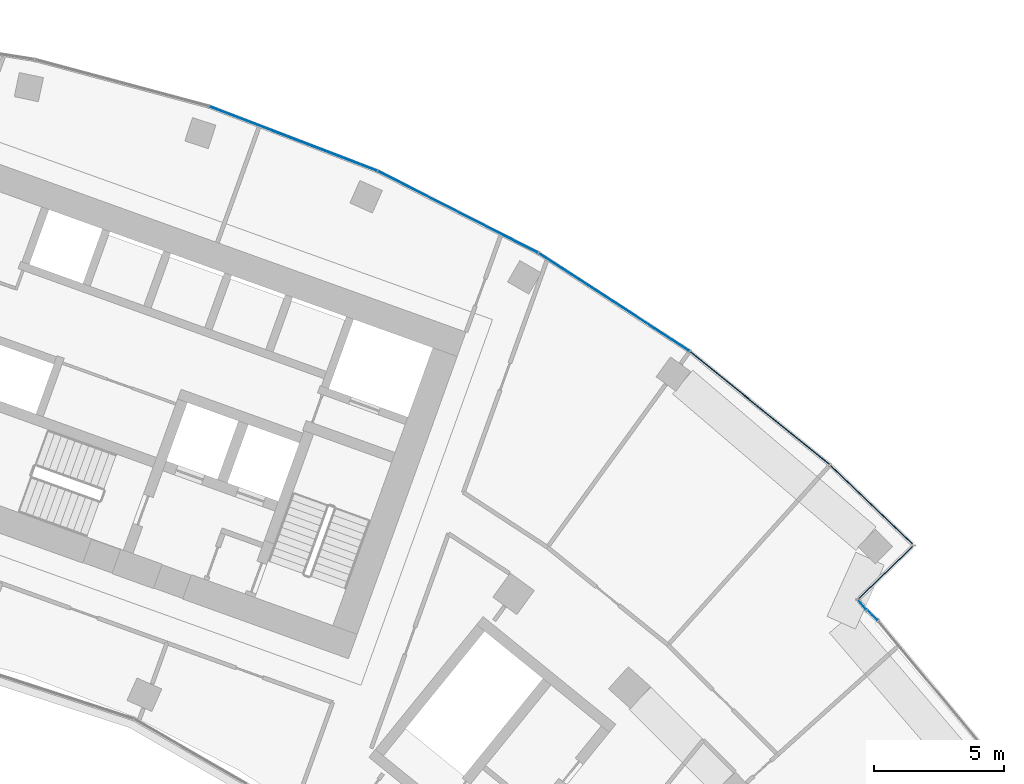
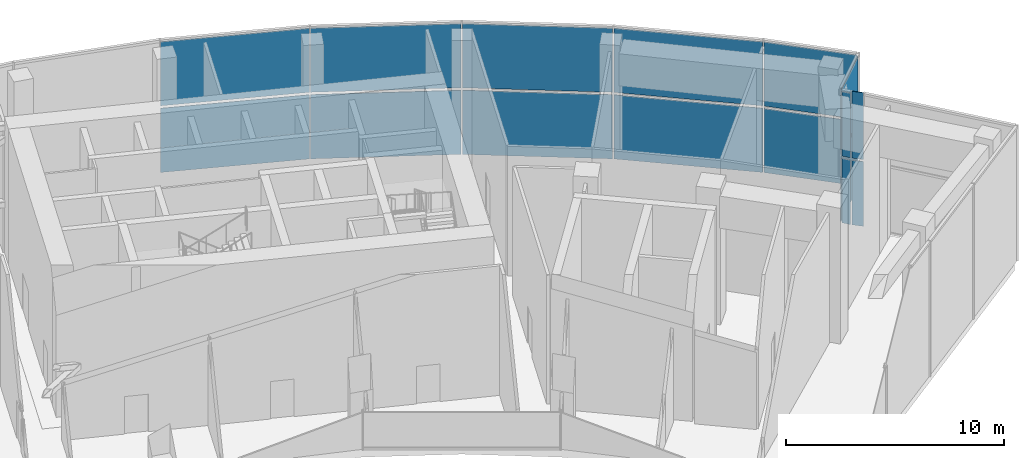
# One storey, part 16 of 26: 16 plates, 4 elements without a shape of their own.
"""IFC4 building model written with IfcOpenShell, lengths in metres."""

from ifc_helpers import new_model, si_unit, direction, frame, origin, origin_2d, place, context, subcontext, project, spatial, rectangle, extrude, material, layer, layer_set, type_object, element, aggregate, save


model = new_model("IFC4")

# Units and contexts
model_context = context("Model", 3, precision=1e-05, world=origin(), true_north=direction((0.0, 1.0)))
body_context = subcontext(model_context, "Body", "Model", "MODEL_VIEW")
ifc_project = project(units=[si_unit("LENGTHUNIT", "METRE"), si_unit("AREAUNIT", "SQUARE_METRE"), si_unit("VOLUMEUNIT", "CUBIC_METRE"), si_unit("PLANEANGLEUNIT", "RADIAN"), si_unit("MASSUNIT", "GRAM", prefix="KILO")], contexts=[model_context])

# Site, building, storey
site_placement = place(None, origin())
site = spatial("IfcSite", under=ifc_project, at=site_placement, CompositionType="ELEMENT")
building_placement = place(site_placement, origin())
building = spatial("IfcBuilding", under=site, at=building_placement, Name="Stone Belt Terrace Tower", CompositionType="ELEMENT")
storey_placement = place(building_placement, frame((0.0, 0.0, 250.39990234375)))
storey = spatial("IfcBuildingStorey", under=building, at=storey_placement, Name="L61", CompositionType="ELEMENT", Elevation=250.39990234375)

# Curtain wall, plates
ifc_material_1 = material(Name="Aluminium 6063-T6 anodised frame", Category="aluminium")
ifc_layer_1 = layer(ifc_material_1, 0.14990234375)
ifc_layer_set_1 = layer_set([ifc_layer_1], Name="CW-A unitised convex-face curtain wall")
curtain_wall_type_1 = type_object("IfcCurtainWallType", Name="CW-A unitised convex-face curtain wall", PredefinedType="NOTDEFINED", material=ifc_layer_set_1)
curtain_wall_1_placement = place(storey_placement, origin())
curtain_wall_1 = element("IfcCurtainWall", 1, at=curtain_wall_1_placement, inside=storey, type_object=curtain_wall_type_1, Name="CW-A convex face L61", PredefinedType="NOTDEFINED")
ifc_material_2 = material(Name="Terracotta coloured glazed ceramic", Category="masonry")
ifc_layer_2 = layer(ifc_material_2, 0.031982421875)
ifc_layer_set_2 = layer_set([ifc_layer_2], Name="CW-A ceramic louvre panel 32")
plate_type_1 = type_object("IfcPlateType", Name="CW-A ceramic louvre panel 32", PredefinedType="CURTAIN_PANEL", material=ifc_layer_set_2)
plate_1_placement = place(storey_placement, frame((46.14599609375, 47.936767578125, 0.14013671875), z_axis=(0.0, 0.0, 1.0), x_axis=(-0.720604393579, 0.693346455933, 0.0)))
plate_1 = element("IfcPlate", 2, at=plate_1_placement, type_object=plate_type_1, Name="CW-A louvre panel 1.1", PredefinedType="CURTAIN_PANEL", context=body_context, shape_type="SweptSolid", body=[
    extrude(rectangle(XDim=4.372314453125, YDim=0.031982421875, at=origin_2d()), origin(), (0.0, 0.0, 1.0), 3.590087890625),
])
plate_2_placement = place(storey_placement, frame((46.14599609375, 47.936767578125, 3.8701171875), z_axis=(0.0, 0.0, 1.0), x_axis=(-0.720604393579, 0.693346455933, 0.0)))
plate_2 = element("IfcPlate", 3, at=plate_2_placement, type_object=plate_type_1, Name="CW-A louvre panel 1.2", PredefinedType="CURTAIN_PANEL", context=body_context, shape_type="SweptSolid", body=[
    extrude(rectangle(XDim=4.372314453125, YDim=0.031982421875, at=origin_2d()), origin(), (0.0, 0.0, 1.0), 3.590087890625),
])
plate_3_placement = place(storey_placement, frame((41.839599609375, 51.667724609375, 0.14013671875), z_axis=(0.0, 0.0, 1.0), x_axis=(-0.777145961457, 0.62932039105, 0.0)))
plate_3 = element("IfcPlate", 4, at=plate_3_placement, type_object=plate_type_1, Name="CW-A louvre panel 2.1", PredefinedType="CURTAIN_PANEL", context=body_context, shape_type="SweptSolid", body=[
    extrude(rectangle(XDim=6.90087890625, YDim=0.031982421875, at=origin_2d()), origin(), (0.0, 0.0, 1.0), 3.590087890625),
])
plate_4_placement = place(storey_placement, frame((41.839599609375, 51.667724609375, 3.8701171875), z_axis=(0.0, 0.0, 1.0), x_axis=(-0.777145961457, 0.62932039105, 0.0)))
plate_4 = element("IfcPlate", 5, at=plate_4_placement, type_object=plate_type_1, Name="CW-A louvre panel 2.2", PredefinedType="CURTAIN_PANEL", context=body_context, shape_type="SweptSolid", body=[
    extrude(rectangle(XDim=6.90087890625, YDim=0.031982421875, at=origin_2d()), origin(), (0.0, 0.0, 1.0), 3.590087890625),
])
plate_5_placement = place(storey_placement, frame((36.209716796875, 55.758056640625, 0.14013671875), z_axis=(0.0, 0.0, 1.0), x_axis=(-0.838670567945, 0.544639035015, 0.0)))
plate_5 = element("IfcPlate", 6, at=plate_5_placement, type_object=plate_type_1, Name="CW-A louvre panel 3.1", PredefinedType="CURTAIN_PANEL", context=body_context, shape_type="SweptSolid", body=[
    extrude(rectangle(XDim=6.90087890625, YDim=0.031982421875, at=origin_2d()), origin(), (0.0, 0.0, 1.0), 3.590087890625),
])
plate_6_placement = place(storey_placement, frame((36.209716796875, 55.758056640625, 3.8701171875), z_axis=(0.0, 0.0, 1.0), x_axis=(-0.838670567945, 0.544639035015, 0.0)))
plate_6 = element("IfcPlate", 7, at=plate_6_placement, type_object=plate_type_1, Name="CW-A louvre panel 3.2", PredefinedType="CURTAIN_PANEL", context=body_context, shape_type="SweptSolid", body=[
    extrude(rectangle(XDim=6.90087890625, YDim=0.031982421875, at=origin_2d()), origin(), (0.0, 0.0, 1.0), 3.590087890625),
])
plate_7_placement = place(storey_placement, frame((30.18310546875, 59.237548828125, 0.14013671875), z_axis=(0.0, 0.0, 1.0), x_axis=(-0.891006524188, 0.45399049974, 0.0)))
plate_7 = element("IfcPlate", 8, at=plate_7_placement, type_object=plate_type_1, Name="CW-A louvre panel 4.1", PredefinedType="CURTAIN_PANEL", context=body_context, shape_type="SweptSolid", body=[
    extrude(rectangle(XDim=6.90087890625, YDim=0.031982421875, at=origin_2d()), origin(), (0.0, 0.0, 1.0), 3.590087890625),
])
plate_8_placement = place(storey_placement, frame((30.18310546875, 59.237548828125, 3.8701171875), z_axis=(0.0, 0.0, 1.0), x_axis=(-0.891006524188, 0.45399049974, 0.0)))
plate_8 = element("IfcPlate", 9, at=plate_8_placement, type_object=plate_type_1, Name="CW-A louvre panel 4.2", PredefinedType="CURTAIN_PANEL", context=body_context, shape_type="SweptSolid", body=[
    extrude(rectangle(XDim=6.90087890625, YDim=0.031982421875, at=origin_2d()), origin(), (0.0, 0.0, 1.0), 3.590087890625),
])
plate_9_placement = place(storey_placement, frame((23.82568359375, 62.068115234375, 0.14013671875), z_axis=(0.0, 0.0, 1.0), x_axis=(-0.933580426497, 0.358367949545, 0.0)))
plate_9 = element("IfcPlate", 10, at=plate_9_placement, type_object=plate_type_1, Name="CW-A louvre panel 5.1", PredefinedType="CURTAIN_PANEL", context=body_context, shape_type="SweptSolid", body=[
    extrude(rectangle(XDim=6.90087890625, YDim=0.031982421875, at=origin_2d()), origin(), (0.0, 0.0, 1.0), 3.590087890625),
])
plate_10_placement = place(storey_placement, frame((23.82568359375, 62.068115234375, 3.8701171875), z_axis=(0.0, 0.0, 1.0), x_axis=(-0.933580426497, 0.358367949545, 0.0)))
plate_10 = element("IfcPlate", 11, at=plate_10_placement, type_object=plate_type_1, Name="CW-A louvre panel 5.2", PredefinedType="CURTAIN_PANEL", context=body_context, shape_type="SweptSolid", body=[
    extrude(rectangle(XDim=6.90087890625, YDim=0.031982421875, at=origin_2d()), origin(), (0.0, 0.0, 1.0), 3.590087890625),
])
aggregate(curtain_wall_1, [plate_1, plate_2, plate_3, plate_4, plate_5, plate_6, plate_7, plate_8, plate_9, plate_10])

ifc_layer_3 = layer(ifc_material_1, 0.14990234375)
ifc_layer_set_3 = layer_set([ifc_layer_3], Name="CW-C stick curtain wall, horn ends and notches")
curtain_wall_type_2 = type_object("IfcCurtainWallType", Name="CW-C stick curtain wall, horn ends and notches", PredefinedType="NOTDEFINED", material=ifc_layer_set_3)
curtain_wall_2_placement = place(storey_placement, origin())
curtain_wall_2 = element("IfcCurtainWall", 12, at=curtain_wall_2_placement, inside=storey, type_object=curtain_wall_type_2, Name="CW-C end face L61", PredefinedType="NOTDEFINED")
ifc_layer_4 = layer(ifc_material_2, 0.028076171875)
ifc_layer_set_4 = layer_set([ifc_layer_4], Name="CW-C ceramic louvre panel 28")
plate_type_2 = type_object("IfcPlateType", Name="CW-C ceramic louvre panel 28", PredefinedType="CURTAIN_PANEL", material=ifc_layer_set_4)
plate_11_placement = place(storey_placement, frame((46.1826171875, 43.6630859375, 0.1201171875), z_axis=(0.0, 0.0, 1.0), x_axis=(-0.731339333871, 0.682013767261, 0.0)))
plate_11 = element("IfcPlate", 13, at=plate_11_placement, type_object=plate_type_2, Name="CW-C louvre panel 1.1", PredefinedType="CURTAIN_PANEL", context=body_context, shape_type="SweptSolid", body=[
    extrude(rectangle(XDim=0.534912109375, YDim=0.028076171875, at=origin_2d()), origin(), (0.0, 0.0, 1.0), 3.6201171875),
])
plate_12_placement = place(storey_placement, frame((46.1826171875, 43.6630859375, 3.85986328125), z_axis=(0.0, 0.0, 1.0), x_axis=(-0.731339333871, 0.682013767261, 0.0)))
plate_12 = element("IfcPlate", 14, at=plate_12_placement, type_object=plate_type_2, Name="CW-C louvre panel 1.2", PredefinedType="CURTAIN_PANEL", context=body_context, shape_type="SweptSolid", body=[
    extrude(rectangle(XDim=0.534912109375, YDim=0.028076171875, at=origin_2d()), origin(), (0.0, 0.0, 1.0), 3.739990234375),
])
aggregate(curtain_wall_2, [plate_11, plate_12])

curtain_wall_3_placement = place(storey_placement, origin())
curtain_wall_3 = element("IfcCurtainWall", 15, at=curtain_wall_3_placement, inside=storey, type_object=curtain_wall_type_2, Name="CW-C end face L61", PredefinedType="NOTDEFINED")
plate_13_placement = place(storey_placement, frame((45.80322265625, 44.0556640625, 0.1201171875), z_axis=(0.0, 0.0, 1.0), x_axis=(-0.647210945735, 0.762310954743, 0.0)))
plate_13 = element("IfcPlate", 16, at=plate_13_placement, type_object=plate_type_2, Name="CW-C louvre panel 1.1", PredefinedType="CURTAIN_PANEL", context=body_context, shape_type="SweptSolid", body=[
    extrude(rectangle(XDim=0.421630859375, YDim=0.028076171875, at=origin_2d()), origin(), (0.0, 0.0, 1.0), 3.6201171875),
])
plate_14_placement = place(storey_placement, frame((45.80322265625, 44.0556640625, 3.860107421875), z_axis=(0.0, 0.0, 1.0), x_axis=(-0.647210945735, 0.762310954743, 0.0)))
plate_14 = element("IfcPlate", 17, at=plate_14_placement, type_object=plate_type_2, Name="CW-C louvre panel 1.2", PredefinedType="CURTAIN_PANEL", context=body_context, shape_type="SweptSolid", body=[
    extrude(rectangle(XDim=0.421630859375, YDim=0.028076171875, at=origin_2d()), origin(), (0.0, 0.0, 1.0), 3.6201171875),
])
aggregate(curtain_wall_3, [plate_13, plate_14])

curtain_wall_4_placement = place(storey_placement, origin())
curtain_wall_4 = element("IfcCurtainWall", 18, at=curtain_wall_4_placement, inside=storey, type_object=curtain_wall_type_2, Name="CW-C notch face L61", PredefinedType="NOTDEFINED")
plate_15_placement = place(storey_placement, frame((46.69677734375, 45.320068359375, 0.1201171875), z_axis=(0.0, 0.0, 1.0), x_axis=(0.71680345276, 0.697275275707, 0.0)))
plate_15 = element("IfcPlate", 19, at=plate_15_placement, type_object=plate_type_2, Name="CW-C louvre panel 1.1", PredefinedType="CURTAIN_PANEL", context=body_context, shape_type="SweptSolid", body=[
    extrude(rectangle(XDim=2.859619140625, YDim=0.028076171875, at=origin_2d()), origin(), (0.0, 0.0, 1.0), 3.6201171875),
])
plate_16_placement = place(storey_placement, frame((46.69677734375, 45.320068359375, 3.860107421875), z_axis=(0.0, 0.0, 1.0), x_axis=(0.71680345276, 0.697275275707, 0.0)))
plate_16 = element("IfcPlate", 20, at=plate_16_placement, type_object=plate_type_2, Name="CW-C louvre panel 1.2", PredefinedType="CURTAIN_PANEL", context=body_context, shape_type="SweptSolid", body=[
    extrude(rectangle(XDim=2.859619140625, YDim=0.028076171875, at=origin_2d()), origin(), (0.0, 0.0, 1.0), 3.6201171875),
])
aggregate(curtain_wall_4, [plate_15, plate_16])

save(model, "model.ifc")
